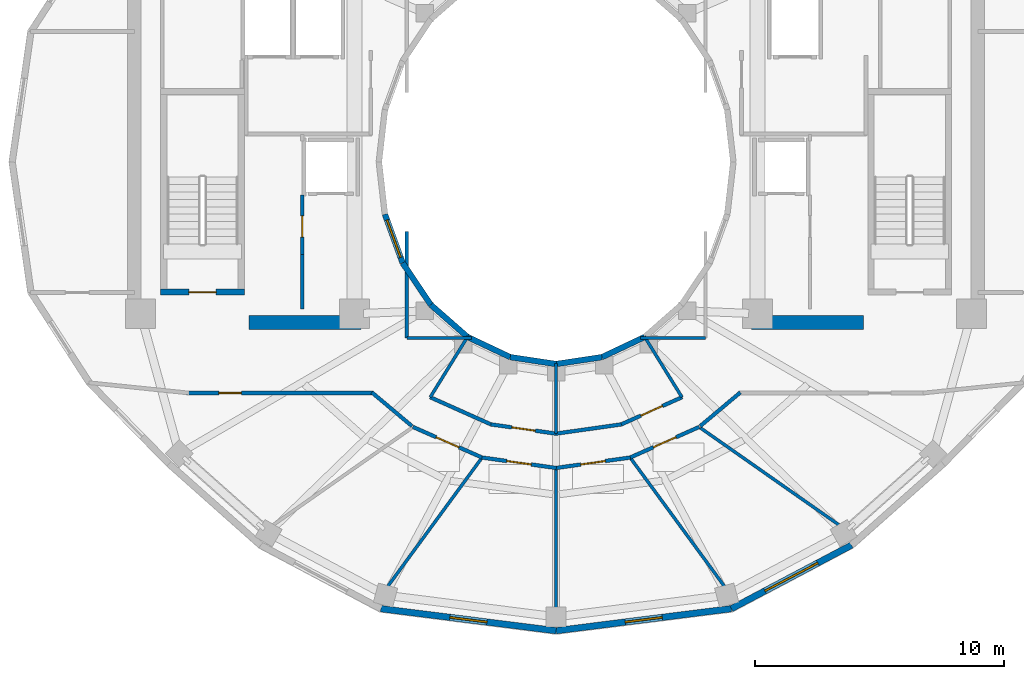
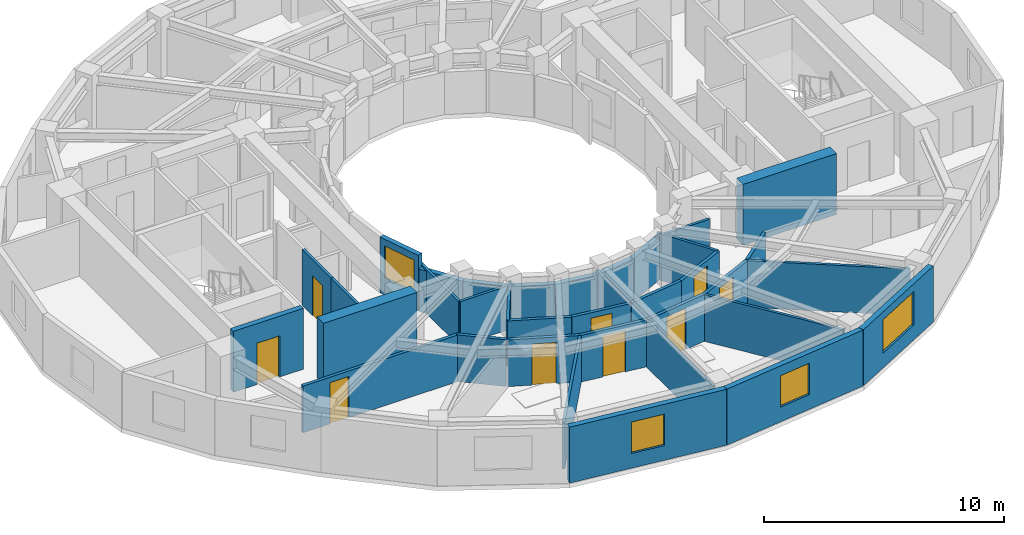
# One storey, part 3 of 9: 36 walls, 9 doors, 4 windows, 13 openings.
"""IFC4 building model written with IfcOpenShell, lengths in metres."""

from ifc_helpers import new_model, si_unit, direction, frame, frame_2d, origin, place, context, subcontext, project, spatial, rectangle, extrude, material, layer, layer_set, type_object, element, fill, save


model = new_model("IFC4")

# Units and contexts
model_context = context("Model", 3, precision=1e-05, world=origin(), true_north=direction((0.0, 1.0)))
body_context = subcontext(model_context, "Body", "Model", "MODEL_VIEW")
ifc_project = project(units=[si_unit("LENGTHUNIT", "METRE"), si_unit("AREAUNIT", "SQUARE_METRE"), si_unit("VOLUMEUNIT", "CUBIC_METRE"), si_unit("PLANEANGLEUNIT", "RADIAN"), si_unit("MASSUNIT", "GRAM", prefix="KILO")], contexts=[model_context])

# Site, building, storey
site_placement = place(None, origin())
site = spatial("IfcSite", under=ifc_project, at=site_placement, CompositionType="ELEMENT")
building_placement = place(site_placement, origin())
building = spatial("IfcBuilding", under=site, at=building_placement, Name="Solvane Sanctuary Tower", CompositionType="ELEMENT")
storey_placement = place(building_placement, frame((0.0, 0.0, 232.60009765625)))
storey = spatial("IfcBuildingStorey", under=building, at=storey_placement, Name="L71", CompositionType="ELEMENT", Elevation=232.60009765625)

# Walls
ifc_material_1 = material(Name="Concrete C50/60", Category="concrete")
ifc_layer_1 = layer(ifc_material_1, 0.550048828125, Name="Concrete C50/60")
ifc_layer_set_1 = layer_set([ifc_layer_1], Name="Concrete C50/60")
wall_type_1 = type_object("IfcWallType", Name="Wall W-CORE-550", PredefinedType="SHEAR", material=ifc_layer_set_1)
for number, where, z_axis, x_axis, name in (
    (1, (19.64990234375, 16.550048828125, 0.0), (0.0, 0.0, 1.0), (1.0, 0.0, 0.0), "L71 Core Shear Wall WC-S"),
    (2, (39.85009765625, 16.550048828125, 0.0), (0.0, 0.0, 1.0), (1.0, 0.0, 0.0), "L71 Core Shear Wall EC-S"),
):
    element("IfcWall", number, at=place(storey_placement, frame(where, z_axis=z_axis, x_axis=x_axis)), inside=storey, type_object=wall_type_1, Name=name, PredefinedType="SHEAR", context=body_context, shape_type="SweptSolid", body=[
        extrude(rectangle(XDim=4.5, YDim=0.550048828125, at=frame_2d((2.25, 0.0))), origin(), (0.0, 0.0, 1.0), 3.099853515625),
    ])
ifc_material_2 = material(Name="Acoustic Gypsum Partition Board")
ifc_layer_2 = layer(ifc_material_2, 0.14990234375, Name="Acoustic Gypsum Partition Board")
ifc_layer_set_2 = layer_set([ifc_layer_2], Name="Acoustic Gypsum Partition Board")
wall_type_2 = type_object("IfcWallType", Name="Wall W-CORR-150", PredefinedType="PARTITIONING", material=ifc_layer_set_2)
wall_1_placement = place(storey_placement, frame((26.934814453125, 13.548583984375, 0.0), z_axis=(0.0, 0.0, 1.0), x_axis=(0.912859324183, -0.408274239027, 0.0)))
element("IfcWall", 3, at=wall_1_placement, inside=storey, type_object=wall_type_2, Name="L71 South Light-Well Corridor Wall 1", PredefinedType="PARTITIONING", context=body_context, shape_type="SweptSolid", body=[
    extrude(rectangle(XDim=2.681884765625, YDim=0.14990234375, at=frame_2d((1.3408203125, 0.0))), origin(), (0.0, 0.0, 1.0), 2.3759765625),
])

# Wall, opening, door
wall_2_placement = place(storey_placement, frame((29.379638671875, 12.45458984375, 0.0), z_axis=(0.0, 0.0, 1.0), x_axis=(0.990096156252, -0.140390887794, 0.0)))
wall_2 = element("IfcWall", 4, at=wall_2_placement, inside=storey, type_object=wall_type_2, Name="L71 South Light-Well Corridor Wall 1", PredefinedType="PARTITIONING", context=body_context, shape_type="SweptSolid", body=[
    extrude(rectangle(XDim=2.65380859375, YDim=0.14990234375, at=frame_2d((1.326904296875, 0.0))), origin(), (0.0, 0.0, 1.0), 2.3759765625),
])
opening_1_placement = place(wall_2_placement, frame((0.851806640625, 0.0, 0.0)))
opening_1 = element("IfcOpeningElement", 5, at=opening_1_placement, cuts=wall_2, Name="Opening D-L71-11", PredefinedType="OPENING", context=body_context, shape_type="SweptSolid", body=[
    extrude(rectangle(XDim=0.949951171875, YDim=2.10009765625, at=frame_2d((0.47509765625, 1.050048828125))), frame((0.0, 0.0849609375, 0.0), z_axis=(0.0, -1.0, 0.0), x_axis=(1.0, 0.0, 0.0)), (0.0, 0.0, 1.0), 0.169921875),
])
ifc_material_3 = material(Name="Engineered Tropical Hardwood", Category="wood")
door_type_1 = type_object("IfcDoorType", Name="Door D-ROOM-950", OperationType="NOTDEFINED", PredefinedType="DOOR", material=ifc_material_3)
door_1_placement = place(opening_1_placement, origin())
door_1 = element("IfcDoor", 6, at=door_1_placement, inside=storey, type_object=door_type_1, Name="L71 South Light-Well Alcove Door 1", OperationType="SINGLE_SWING_RIGHT", OverallHeight=2.10009765625, OverallWidth=0.949951171875, PredefinedType="DOOR", context=body_context, shape_type="SweptSolid", body=[
    extrude(rectangle(XDim=0.949951171875, YDim=2.10009765625, at=frame_2d((0.47509765625, 1.050048828125))), frame((0.0, 0.02490234375, 0.0), z_axis=(0.0, -1.0, 0.0), x_axis=(1.0, 0.0, 0.0)), (0.0, 0.0, 1.0), 0.050048828125),
])
fill(opening_1, door_1)

# Wall
wall_3_placement = place(storey_placement, frame((31.992919921875, 12.08203125, 0.0), z_axis=(0.0, 0.0, 1.0), x_axis=(0.990096156252, 0.140390887794, 0.0)))
element("IfcWall", 7, at=wall_3_placement, inside=storey, type_object=wall_type_2, Name="L71 South Light-Well Corridor Wall 2", PredefinedType="PARTITIONING", context=body_context, shape_type="SweptSolid", body=[
    extrude(rectangle(XDim=2.65380859375, YDim=0.14990234375, at=frame_2d((1.326904296875, 0.0))), origin(), (0.0, 0.0, 1.0), 2.3759765625),
])

# Wall, opening, door
wall_4_placement = place(storey_placement, frame((34.616943359375, 12.45361328125, 0.0), z_axis=(0.0, 0.0, 1.0), x_axis=(0.912859324183, 0.408274239027, 0.0)))
wall_4 = element("IfcWall", 8, at=wall_4_placement, inside=storey, type_object=wall_type_2, Name="L71 South Light-Well Corridor Wall 2", PredefinedType="PARTITIONING", context=body_context, shape_type="SweptSolid", body=[
    extrude(rectangle(XDim=2.681884765625, YDim=0.14990234375, at=frame_2d((1.3408203125, 0.0))), origin(), (0.0, 0.0, 1.0), 2.3759765625),
])
opening_2_placement = place(wall_4_placement, frame((0.865966796875, 0.0, 0.0)))
opening_2 = element("IfcOpeningElement", 9, at=opening_2_placement, cuts=wall_4, Name="Opening D-L71-12", PredefinedType="OPENING", context=body_context, shape_type="SweptSolid", body=[
    extrude(rectangle(XDim=0.949951171875, YDim=2.10009765625, at=frame_2d((0.47509765625, 1.050048828125))), frame((0.0, 0.0849609375, 0.0), z_axis=(0.0, -1.0, 0.0), x_axis=(1.0, 0.0, 0.0)), (0.0, 0.0, 1.0), 0.169921875),
])
door_2_placement = place(opening_2_placement, origin())
door_2 = element("IfcDoor", 10, at=door_2_placement, inside=storey, type_object=door_type_1, Name="L71 South Light-Well Alcove Door 2", OperationType="SINGLE_SWING_LEFT", OverallHeight=2.10009765625, OverallWidth=0.949951171875, PredefinedType="DOOR", context=body_context, shape_type="SweptSolid", body=[
    extrude(rectangle(XDim=0.949951171875, YDim=2.10009765625, at=frame_2d((0.47509765625, 1.050048828125))), frame((0.0, 0.02490234375, 0.0), z_axis=(0.0, -1.0, 0.0), x_axis=(1.0, 0.0, 0.0)), (0.0, 0.0, 1.0), 0.050048828125),
])
fill(opening_2, door_2)

# Wall
wall_5_placement = place(storey_placement, frame((26.208984375, 12.385009765625, 0.0), z_axis=(0.0, 0.0, 1.0), x_axis=(-0.765677451641, 0.643224719711, 0.0)))
element("IfcWall", 11, at=wall_5_placement, inside=storey, type_object=wall_type_2, Name="L71 SW Corner Throat Wall", PredefinedType="PARTITIONING", context=body_context, shape_type="SweptSolid", body=[
    extrude(rectangle(XDim=2.10546875, YDim=0.14990234375, at=frame_2d((1.052734375, 0.0))), origin(), (0.0, 0.0, 1.0), 2.3759765625),
])

# Wall, opening, door
wall_6_placement = place(storey_placement, frame((17.14990234375, 13.719970703125, 0.0), z_axis=(0.0, 0.0, 1.0), x_axis=(1.0, 0.0, 0.0)))
wall_6 = element("IfcWall", 12, at=wall_6_placement, inside=storey, type_object=wall_type_2, Name="L71 SW Corner Corridor Wall", PredefinedType="PARTITIONING", context=body_context, shape_type="SweptSolid", body=[
    extrude(rectangle(XDim=7.52001953125, YDim=0.14990234375, at=frame_2d((3.760009765625, 0.0))), origin(), (0.0, 0.0, 1.0), 2.3759765625),
])
opening_3_placement = place(wall_6_placement, frame((1.300048828125, 0.0, 0.0)))
opening_3 = element("IfcOpeningElement", 13, at=opening_3_placement, cuts=wall_6, Name="Opening D-L71-18", PredefinedType="OPENING", context=body_context, shape_type="SweptSolid", body=[
    extrude(rectangle(XDim=0.89990234375, YDim=2.10009765625, at=frame_2d((0.449951171875, 1.050048828125))), frame((0.0, 0.0849609375, 0.0), z_axis=(0.0, -1.0, 0.0), x_axis=(1.0, 0.0, 0.0)), (0.0, 0.0, 1.0), 0.169921875),
])
door_type_2 = type_object("IfcDoorType", Name="Door D-WET-900", OperationType="NOTDEFINED", PredefinedType="DOOR", material=ifc_material_3)
door_3_placement = place(opening_3_placement, origin())
door_3 = element("IfcDoor", 14, at=door_3_placement, inside=storey, type_object=door_type_2, Name="L71 SW Corner Salon Door", OperationType="SINGLE_SWING_LEFT", OverallHeight=2.10009765625, OverallWidth=0.89990234375, PredefinedType="DOOR", context=body_context, shape_type="SweptSolid", body=[
    extrude(rectangle(XDim=0.89990234375, YDim=2.10009765625, at=frame_2d((0.449951171875, 1.050048828125))), frame((0.0, 0.02490234375, 0.0), z_axis=(0.0, -1.0, 0.0), x_axis=(1.0, 0.0, 0.0)), (0.0, 0.0, 1.0), 0.050048828125),
])
fill(opening_3, door_3)

# Wall
wall_7_placement = place(storey_placement, frame((37.791015625, 12.385009765625, 0.0), z_axis=(0.0, 0.0, 1.0), x_axis=(0.765677451641, 0.643224719711, 0.0)))
element("IfcWall", 15, at=wall_7_placement, inside=storey, type_object=wall_type_2, Name="L71 SE Corner Throat Wall", PredefinedType="PARTITIONING", context=body_context, shape_type="SweptSolid", body=[
    extrude(rectangle(XDim=2.10546875, YDim=0.14990234375, at=frame_2d((1.052734375, 0.0))), origin(), (0.0, 0.0, 1.0), 2.3759765625),
])

# Wall, opening, door
wall_8_placement = place(storey_placement, frame((26.243896484375, 12.35400390625, 0.0), z_axis=(0.0, 0.0, 1.0), x_axis=(0.914302802833, -0.405031337963, 0.0)))
wall_8 = element("IfcWall", 16, at=wall_8_placement, inside=storey, type_object=wall_type_2, Name="L71 Unit Corridor Wall S1", PredefinedType="PARTITIONING", context=body_context, shape_type="SweptSolid", body=[
    extrude(rectangle(XDim=3.04931640625, YDim=0.14990234375, at=frame_2d((1.524658203125, 0.0))), origin(), (0.0, 0.0, 1.0), 2.3759765625),
])
opening_4_placement = place(wall_8_placement, frame((1.024658203125, 0.0, 0.0)))
opening_4 = element("IfcOpeningElement", 17, at=opening_4_placement, cuts=wall_8, Name="Opening D-L71-24", PredefinedType="OPENING", context=body_context, shape_type="SweptSolid", body=[
    extrude(rectangle(XDim=1.0, YDim=2.10009765625, at=frame_2d((0.5, 1.050048828125))), frame((0.0, 0.0849609375, 0.0), z_axis=(0.0, -1.0, 0.0), x_axis=(1.0, 0.0, 0.0)), (0.0, 0.0, 1.0), 0.169921875),
])
door_type_3 = type_object("IfcDoorType", Name="Door D-UNIT", OperationType="NOTDEFINED", PredefinedType="DOOR", material=ifc_material_3)
door_4_placement = place(opening_4_placement, origin())
door_4 = element("IfcDoor", 18, at=door_4_placement, inside=storey, type_object=door_type_3, Name="L71 Unit Entrance Door S1", OperationType="SINGLE_SWING_LEFT", OverallHeight=2.10009765625, OverallWidth=1.0, PredefinedType="DOOR", context=body_context, shape_type="SweptSolid", body=[
    extrude(rectangle(XDim=1.0, YDim=2.10009765625, at=frame_2d((0.5, 1.050048828125))), frame((0.0, 0.02490234375, 0.0), z_axis=(0.0, -1.0, 0.0), x_axis=(1.0, 0.0, 0.0)), (0.0, 0.0, 1.0), 0.050048828125),
])
fill(opening_4, door_4)

wall_9_placement = place(storey_placement, frame((29.016357421875, 11.123291015625, 0.0), z_axis=(0.0, 0.0, 1.0), x_axis=(0.990225561979, -0.139475217886, 0.0)))
wall_9 = element("IfcWall", 19, at=wall_9_placement, inside=storey, type_object=wall_type_2, Name="L71 Unit Corridor Wall S2", PredefinedType="PARTITIONING", context=body_context, shape_type="SweptSolid", body=[
    extrude(rectangle(XDim=3.021240234375, YDim=0.14990234375, at=frame_2d((1.5107421875, 0.0))), origin(), (0.0, 0.0, 1.0), 2.3759765625),
])
opening_5_placement = place(wall_9_placement, frame((1.010498046875, 0.0, 0.0)))
opening_5 = element("IfcOpeningElement", 20, at=opening_5_placement, cuts=wall_9, Name="Opening D-L71-25", PredefinedType="OPENING", context=body_context, shape_type="SweptSolid", body=[
    extrude(rectangle(XDim=1.0, YDim=2.10009765625, at=frame_2d((0.5, 1.050048828125))), frame((0.0, 0.0849609375, 0.0), z_axis=(0.0, -1.0, 0.0), x_axis=(1.0, 0.0, 0.0)), (0.0, 0.0, 1.0), 0.169921875),
])
door_5_placement = place(opening_5_placement, origin())
door_5 = element("IfcDoor", 21, at=door_5_placement, inside=storey, type_object=door_type_3, Name="L71 Unit Entrance Door S2", OperationType="SINGLE_SWING_RIGHT", OverallHeight=2.10009765625, OverallWidth=1.0, PredefinedType="DOOR", context=body_context, shape_type="SweptSolid", body=[
    extrude(rectangle(XDim=1.0, YDim=2.10009765625, at=frame_2d((0.5, 1.050048828125))), frame((0.0, 0.02490234375, 0.0), z_axis=(0.0, -1.0, 0.0), x_axis=(1.0, 0.0, 0.0)), (0.0, 0.0, 1.0), 0.050048828125),
])
fill(opening_5, door_5)

wall_10_placement = place(storey_placement, frame((31.991943359375, 10.701904296875, 0.0), z_axis=(0.0, 0.0, 1.0), x_axis=(0.990225561979, 0.139475217886, 0.0)))
wall_10 = element("IfcWall", 22, at=wall_10_placement, inside=storey, type_object=wall_type_2, Name="L71 Unit Corridor Wall S3", PredefinedType="PARTITIONING", context=body_context, shape_type="SweptSolid", body=[
    extrude(rectangle(XDim=3.021240234375, YDim=0.14990234375, at=frame_2d((1.5107421875, 0.0))), origin(), (0.0, 0.0, 1.0), 2.3759765625),
])
opening_6_placement = place(wall_10_placement, frame((1.010498046875, 0.0, 0.0)))
opening_6 = element("IfcOpeningElement", 23, at=opening_6_placement, cuts=wall_10, Name="Opening D-L71-26", PredefinedType="OPENING", context=body_context, shape_type="SweptSolid", body=[
    extrude(rectangle(XDim=1.0, YDim=2.10009765625, at=frame_2d((0.5, 1.050048828125))), frame((0.0, 0.0849609375, 0.0), z_axis=(0.0, -1.0, 0.0), x_axis=(1.0, 0.0, 0.0)), (0.0, 0.0, 1.0), 0.169921875),
])
door_6_placement = place(opening_6_placement, origin())
door_6 = element("IfcDoor", 24, at=door_6_placement, inside=storey, type_object=door_type_3, Name="L71 Unit Entrance Door S3", OperationType="SINGLE_SWING_LEFT", OverallHeight=2.10009765625, OverallWidth=1.0, PredefinedType="DOOR", context=body_context, shape_type="SweptSolid", body=[
    extrude(rectangle(XDim=1.0, YDim=2.10009765625, at=frame_2d((0.5, 1.050048828125))), frame((0.0, 0.02490234375, 0.0), z_axis=(0.0, -1.0, 0.0), x_axis=(1.0, 0.0, 0.0)), (0.0, 0.0, 1.0), 0.050048828125),
])
fill(opening_6, door_6)

wall_11_placement = place(storey_placement, frame((34.968017578125, 11.118896484375, 0.0), z_axis=(0.0, 0.0, 1.0), x_axis=(0.914302802833, 0.405031337963, 0.0)))
wall_11 = element("IfcWall", 25, at=wall_11_placement, inside=storey, type_object=wall_type_2, Name="L71 Unit Corridor Wall S4", PredefinedType="PARTITIONING", context=body_context, shape_type="SweptSolid", body=[
    extrude(rectangle(XDim=3.04931640625, YDim=0.14990234375, at=frame_2d((1.524658203125, 0.0))), origin(), (0.0, 0.0, 1.0), 2.3759765625),
])
opening_7_placement = place(wall_11_placement, frame((1.024658203125, 0.0, 0.0)))
opening_7 = element("IfcOpeningElement", 26, at=opening_7_placement, cuts=wall_11, Name="Opening D-L71-27", PredefinedType="OPENING", context=body_context, shape_type="SweptSolid", body=[
    extrude(rectangle(XDim=1.0, YDim=2.10009765625, at=frame_2d((0.5, 1.050048828125))), frame((0.0, 0.0849609375, 0.0), z_axis=(0.0, -1.0, 0.0), x_axis=(1.0, 0.0, 0.0)), (0.0, 0.0, 1.0), 0.169921875),
])
door_7_placement = place(opening_7_placement, origin())
door_7 = element("IfcDoor", 27, at=door_7_placement, inside=storey, type_object=door_type_3, Name="L71 Unit Entrance Door S4", OperationType="SINGLE_SWING_RIGHT", OverallHeight=2.10009765625, OverallWidth=1.0, PredefinedType="DOOR", context=body_context, shape_type="SweptSolid", body=[
    extrude(rectangle(XDim=1.0, YDim=2.10009765625, at=frame_2d((0.5, 1.050048828125))), frame((0.0, 0.02490234375, 0.0), z_axis=(0.0, -1.0, 0.0), x_axis=(1.0, 0.0, 0.0)), (0.0, 0.0, 1.0), 0.050048828125),
])
fill(opening_7, door_7)

# Wall, opening, window
ifc_material_4 = material(Name="Precast concrete C40/50", Category="concrete")
ifc_layer_3 = layer(ifc_material_4, 0.260009765625, Name="Precast concrete C40/50")
ifc_layer_set_3 = layer_set([ifc_layer_3], Name="Precast concrete C40/50")
wall_type_3 = type_object("IfcWallType", Name="Wall W-EXT-250", PredefinedType="STANDARD", material=ifc_layer_set_3)
wall_12_placement = place(storey_placement, frame((24.95703125, 5.048095703125, 0.0), z_axis=(0.0, 0.0, 1.0), x_axis=(0.992180211307, -0.124813574142, 0.0)))
wall_12 = element("IfcWall", 28, at=wall_12_placement, inside=storey, type_object=wall_type_3, Name="L71 Ceramic-Printed Facade Wall 17", PredefinedType="STANDARD", context=body_context, shape_type="SweptSolid", body=[
    extrude(rectangle(XDim=7.098388671875, YDim=0.260009765625, at=frame_2d((3.54931640625, 0.0))), origin(), (0.0, 0.0, 1.0), 2.849853515625),
])
opening_8_placement = place(wall_12_placement, frame((2.79931640625, 0.0, 0.75)))
opening_8 = element("IfcOpeningElement", 29, at=opening_8_placement, cuts=wall_12, Name="Opening WN-OPER-1500", PredefinedType="OPENING", context=body_context, shape_type="SweptSolid", body=[
    extrude(rectangle(XDim=1.5, YDim=1.60009765625, at=frame_2d((0.75, 0.800048828125))), frame((0.0, 0.139892578125, 0.0), z_axis=(0.0, -1.0, 0.0), x_axis=(1.0, 0.0, 0.0)), (0.0, 0.0, 1.0), 0.280029296875),
])
ifc_material_5 = material(Name="Dark Ceramic-Fritted Low-E Glass", Category="glass")
window_type_1 = type_object("IfcWindowType", Name="Window WN-OPER-1500", PartitioningType="SINGLE_PANEL", PredefinedType="WINDOW", material=ifc_material_5)
window_1_placement = place(opening_8_placement, origin())
window_1 = element("IfcWindow", 30, at=window_1_placement, inside=storey, type_object=window_type_1, Name="L71 Operable Facade Window 17", OverallHeight=1.60009765625, OverallWidth=1.5, PartitioningType="SINGLE_PANEL", PredefinedType="WINDOW", context=body_context, shape_type="SweptSolid", body=[
    extrude(rectangle(XDim=1.5, YDim=1.60009765625, at=frame_2d((0.75, 0.800048828125))), frame((0.0, 0.030029296875, 0.0), z_axis=(0.0, -1.0, 0.0), x_axis=(1.0, 0.0, 0.0)), (0.0, 0.0, 1.0), 0.06005859375),
])
fill(opening_8, window_1)

wall_13_placement = place(storey_placement, frame((32.0, 4.162109375, 0.0), z_axis=(0.0, 0.0, 1.0), x_axis=(0.992180211307, 0.124813574142, 0.0)))
wall_13 = element("IfcWall", 31, at=wall_13_placement, inside=storey, type_object=wall_type_3, Name="L71 Ceramic-Printed Facade Wall 18", PredefinedType="STANDARD", context=body_context, shape_type="SweptSolid", body=[
    extrude(rectangle(XDim=7.098388671875, YDim=0.260009765625, at=frame_2d((3.54931640625, 0.0))), origin(), (0.0, 0.0, 1.0), 2.849853515625),
])
opening_9_placement = place(wall_13_placement, frame((2.79931640625, 0.0, 0.75)))
opening_9 = element("IfcOpeningElement", 32, at=opening_9_placement, cuts=wall_13, Name="Opening WN-OPER-1500", PredefinedType="OPENING", context=body_context, shape_type="SweptSolid", body=[
    extrude(rectangle(XDim=1.5, YDim=1.60009765625, at=frame_2d((0.75, 0.800048828125))), frame((0.0, 0.139892578125, 0.0), z_axis=(0.0, -1.0, 0.0), x_axis=(1.0, 0.0, 0.0)), (0.0, 0.0, 1.0), 0.280029296875),
])
window_2_placement = place(opening_9_placement, origin())
window_2 = element("IfcWindow", 33, at=window_2_placement, inside=storey, type_object=window_type_1, Name="L71 Operable Facade Window 18", OverallHeight=1.60009765625, OverallWidth=1.5, PartitioningType="SINGLE_PANEL", PredefinedType="WINDOW", context=body_context, shape_type="SweptSolid", body=[
    extrude(rectangle(XDim=1.5, YDim=1.60009765625, at=frame_2d((0.75, 0.800048828125))), frame((0.0, 0.030029296875, 0.0), z_axis=(0.0, -1.0, 0.0), x_axis=(1.0, 0.0, 0.0)), (0.0, 0.0, 1.0), 0.06005859375),
])
fill(opening_9, window_2)

wall_14_placement = place(storey_placement, frame((39.04296875, 5.048095703125, 0.0), z_axis=(0.0, 0.0, 1.0), x_axis=(0.884000981341, 0.46748504253, 0.0)))
wall_14 = element("IfcWall", 34, at=wall_14_placement, inside=storey, type_object=wall_type_3, Name="L71 Ceramic-Printed Facade Wall 19", PredefinedType="STANDARD", context=body_context, shape_type="SweptSolid", body=[
    extrude(rectangle(XDim=5.46044921875, YDim=0.260009765625, at=frame_2d((2.730224609375, 0.0))), origin(), (0.0, 0.0, 1.0), 2.849853515625),
])
opening_10_placement = place(wall_14_placement, frame((1.5302734375, 0.0, 0.75)))
opening_10 = element("IfcOpeningElement", 35, at=opening_10_placement, cuts=wall_14, Name="Opening WN-RIB-2400", PredefinedType="OPENING", context=body_context, shape_type="SweptSolid", body=[
    extrude(rectangle(XDim=2.39990234375, YDim=1.699951171875, at=frame_2d((1.199951171875, 0.85009765625))), frame((0.0, 0.139892578125, 0.0), z_axis=(0.0, -1.0, 0.0), x_axis=(1.0, 0.0, 0.0)), (0.0, 0.0, 1.0), 0.280029296875),
])
window_type_2 = type_object("IfcWindowType", Name="Window WN-RIB-2400", PartitioningType="SINGLE_PANEL", PredefinedType="WINDOW", material=ifc_material_5)
window_3_placement = place(opening_10_placement, origin())
window_3 = element("IfcWindow", 36, at=window_3_placement, inside=storey, type_object=window_type_2, Name="L71 Operable Facade Window 19", OverallHeight=1.699951171875, OverallWidth=2.39990234375, PartitioningType="SINGLE_PANEL", PredefinedType="WINDOW", context=body_context, shape_type="SweptSolid", body=[
    extrude(rectangle(XDim=2.39990234375, YDim=1.699951171875, at=frame_2d((1.199951171875, 0.85009765625))), frame((0.0, 0.030029296875, 0.0), z_axis=(0.0, -1.0, 0.0), x_axis=(1.0, 0.0, 0.0)), (0.0, 0.0, 1.0), 0.06005859375),
])
fill(opening_10, window_3)

ifc_layer_4 = layer(ifc_material_4, 0.22998046875, Name="Precast concrete C40/50")
ifc_layer_set_4 = layer_set([ifc_layer_4], Name="Precast concrete C40/50")
wall_type_4 = type_object("IfcWallType", Name="Wall W-EXT-SP220", PredefinedType="STANDARD", material=ifc_layer_set_4)
wall_15_placement = place(storey_placement, frame((25.12255859375, 20.8984375, 0.0), z_axis=(0.0, 0.0, 1.0), x_axis=(0.341423187295, -0.93990968033, 0.0)))
wall_15 = element("IfcWall", 37, at=wall_15_placement, inside=storey, type_object=wall_type_4, Name="L71 Central Light-Well Wall 13", PredefinedType="STANDARD", context=body_context, shape_type="SweptSolid", body=[
    extrude(rectangle(XDim=2.083740234375, YDim=0.22998046875, at=frame_2d((1.0419921875, 0.0))), origin(), (0.0, 0.0, 1.0), 2.83984375),
])
opening_11_placement = place(wall_15_placement, frame((0.24169921875, 0.0, 0.85009765625)))
opening_11 = element("IfcOpeningElement", 38, at=opening_11_placement, cuts=wall_15, Name="Opening WN-WELL-1600", PredefinedType="OPENING", context=body_context, shape_type="SweptSolid", body=[
    extrude(rectangle(XDim=1.60009765625, YDim=1.64990234375, at=frame_2d((0.800048828125, 0.824951171875))), frame((0.0, 0.125, 0.0), z_axis=(0.0, -1.0, 0.0), x_axis=(1.0, 0.0, 0.0)), (0.0, 0.0, 1.0), 0.25),
])
ifc_material_6 = material(Name="Clear Laminated Light-Well Glass", Category="glass")
window_type_3 = type_object("IfcWindowType", Name="Window WN-WELL-1600", PartitioningType="SINGLE_PANEL", PredefinedType="WINDOW", material=ifc_material_6)
window_4_placement = place(opening_11_placement, origin())
window_4 = element("IfcWindow", 39, at=window_4_placement, inside=storey, type_object=window_type_3, Name="L71 Light-Well Daylight Window 13", OverallHeight=1.64990234375, OverallWidth=1.60009765625, PartitioningType="SINGLE_PANEL", PredefinedType="WINDOW", context=body_context, shape_type="SweptSolid", body=[
    extrude(rectangle(XDim=1.60009765625, YDim=1.64990234375, at=frame_2d((0.800048828125, 0.824951171875))), frame((0.0, 0.030029296875, 0.0), z_axis=(0.0, -1.0, 0.0), x_axis=(1.0, 0.0, 0.0)), (0.0, 0.0, 1.0), 0.06005859375),
])
fill(opening_11, window_4)

# Walls
wall_16_placement = place(storey_placement, frame((25.833984375, 18.93994140625, 0.0), z_axis=(0.0, 0.0, 1.0), x_axis=(0.558197800898, -0.829707909492, 0.0)))
element("IfcWall", 40, at=wall_16_placement, inside=storey, type_object=wall_type_4, Name="L71 Central Light-Well Wall 14", PredefinedType="STANDARD", context=body_context, shape_type="SweptSolid", body=[
    extrude(rectangle(XDim=2.02685546875, YDim=0.22998046875, at=frame_2d((1.013427734375, 0.0))), origin(), (0.0, 0.0, 1.0), 2.159912109375),
])
wall_17_placement = place(storey_placement, frame((26.96533203125, 17.25830078125, 0.0), z_axis=(0.0, 0.0, 1.0), x_axis=(0.752576694707, -0.658504607869, 0.0)))
element("IfcWall", 41, at=wall_17_placement, inside=storey, type_object=wall_type_4, Name="L71 Central Light-Well Wall 15", PredefinedType="STANDARD", context=body_context, shape_type="SweptSolid", body=[
    extrude(rectangle(XDim=1.95947265625, YDim=0.22998046875, at=frame_2d((0.979736328125, 0.0))), origin(), (0.0, 0.0, 1.0), 2.159912109375),
])
wall_18_placement = place(storey_placement, frame((28.43994140625, 15.968017578125, 0.0), z_axis=(0.0, 0.0, 1.0), x_axis=(0.904179699603, -0.427152280606, 0.0)))
element("IfcWall", 42, at=wall_18_placement, inside=storey, type_object=wall_type_4, Name="L71 Central Light-Well Wall 16", PredefinedType="STANDARD", context=body_context, shape_type="SweptSolid", body=[
    extrude(rectangle(XDim=1.899169921875, YDim=0.22998046875, at=frame_2d((0.94970703125, 0.0))), origin(), (0.0, 0.0, 1.0), 2.159912109375),
])
for number, where, z_axis, x_axis, name in (
    (43, (30.1572265625, 15.15673828125, 0.0), (0.0, 0.0, 1.0), (0.988901730308, -0.148571086668, 0.0), "L71 Central Light-Well Wall 17"),
    (44, (32.0, 14.8798828125, 0.0), (0.0, 0.0, 1.0), (0.988901730308, 0.148571086668, 0.0), "L71 Central Light-Well Wall 18"),
):
    element("IfcWall", number, at=place(storey_placement, frame(where, z_axis=z_axis, x_axis=x_axis)), inside=storey, type_object=wall_type_4, Name=name, PredefinedType="STANDARD", context=body_context, shape_type="SweptSolid", body=[
        extrude(rectangle(XDim=1.863525390625, YDim=0.22998046875, at=frame_2d((0.931640625, 0.0))), origin(), (0.0, 0.0, 1.0), 2.159912109375),
    ])
wall_19_placement = place(storey_placement, frame((33.8427734375, 15.15673828125, 0.0), z_axis=(0.0, 0.0, 1.0), x_axis=(0.904179699603, 0.427152280606, 0.0)))
element("IfcWall", 45, at=wall_19_placement, inside=storey, type_object=wall_type_4, Name="L71 Central Light-Well Wall 19", PredefinedType="STANDARD", context=body_context, shape_type="SweptSolid", body=[
    extrude(rectangle(XDim=1.899169921875, YDim=0.22998046875, at=frame_2d((0.94970703125, 0.0))), origin(), (0.0, 0.0, 1.0), 2.159912109375),
])

# Wall, opening, door
ifc_layer_5 = layer(ifc_material_2, 0.125, Name="Acoustic Gypsum Partition Board")
ifc_layer_set_5 = layer_set([ifc_layer_5], Name="Acoustic Gypsum Partition Board")
wall_type_5 = type_object("IfcWallType", Name="Wall W-PART-125", PredefinedType="PARTITIONING", material=ifc_layer_set_5)
wall_20_placement = place(storey_placement, frame((21.800048828125, 19.280029296875, 0.0), z_axis=(0.0, 0.0, 1.0), x_axis=(0.0, 1.0, 0.0)))
wall_20 = element("IfcWall", 46, at=wall_20_placement, inside=storey, type_object=wall_type_5, Name="L71 Reclaimed Room Partition PMW", PredefinedType="PARTITIONING", context=body_context, shape_type="SweptSolid", body=[
    extrude(rectangle(XDim=2.39990234375, YDim=0.125, at=frame_2d((1.199951171875, 0.0))), origin(), (0.0, 0.0, 1.0), 2.85498046875),
])
opening_12_placement = place(wall_20_placement, frame((0.699951171875, 0.0, 0.0)))
opening_12 = element("IfcOpeningElement", 47, at=opening_12_placement, cuts=wall_20, Name="Opening D-L71-05", PredefinedType="OPENING", context=body_context, shape_type="SweptSolid", body=[
    extrude(rectangle(XDim=0.85009765625, YDim=2.050048828125, at=frame_2d((0.425048828125, 1.02490234375))), frame((0.0, 0.072509765625, 0.0), z_axis=(0.0, -1.0, 0.0), x_axis=(1.0, 0.0, 0.0)), (0.0, 0.0, 1.0), 0.14501953125),
])
ifc_material_7 = material(Name="Architectural Stainless Steel 316", Category="steel")
door_type_4 = type_object("IfcDoorType", Name="Door D-RISER", OperationType="NOTDEFINED", PredefinedType="DOOR", material=ifc_material_7)
door_8_placement = place(opening_12_placement, origin())
door_8 = element("IfcDoor", 48, at=door_8_placement, inside=storey, type_object=door_type_4, Name="L71 Reclaimed Room Door PMW-1", OperationType="SINGLE_SWING_RIGHT", OverallHeight=2.050048828125, OverallWidth=0.85009765625, PredefinedType="DOOR", context=body_context, shape_type="SweptSolid", body=[
    extrude(rectangle(XDim=0.85009765625, YDim=2.050048828125, at=frame_2d((0.425048828125, 1.02490234375))), frame((0.0, 0.02490234375, 0.0), z_axis=(0.0, -1.0, 0.0), x_axis=(1.0, 0.0, 0.0)), (0.0, 0.0, 1.0), 0.050048828125),
])
fill(opening_12, door_8)

# Walls
wall_21_placement = place(storey_placement, frame((21.800048828125, 17.10009765625, 0.0), z_axis=(0.0, 0.0, 1.0), x_axis=(0.0, 1.0, 0.0)))
element("IfcWall", 49, at=wall_21_placement, inside=storey, type_object=wall_type_5, Name="L71 Reclaimed Room Closer Wall PMW-1", PredefinedType="PARTITIONING", context=body_context, shape_type="SweptSolid", body=[
    extrude(rectangle(XDim=2.179931640625, YDim=0.125, at=frame_2d((1.08984375, 0.0))), origin(), (0.0, 0.0, 1.0), 2.85498046875),
])
wall_22_placement = place(storey_placement, frame((28.449951171875, 15.985107421875, 0.0), z_axis=(0.0, 0.0, 1.0), x_axis=(-0.52592395012, -0.850531597702, 0.0)))
element("IfcWall", 50, at=wall_22_placement, inside=storey, type_object=wall_type_5, Name="L71 South Light-Well Radial Wall 240", PredefinedType="PARTITIONING", context=body_context, shape_type="SweptSolid", body=[
    extrude(rectangle(XDim=2.869384765625, YDim=0.125, at=frame_2d((1.4345703125, 0.0))), origin(), (0.0, 0.0, 1.0), 2.3759765625),
])
wall_23_placement = place(storey_placement, frame((32.0, 14.89990234375, 0.0), z_axis=(0.0, 0.0, 1.0), x_axis=(0.0, -1.0, 0.0)))
element("IfcWall", 51, at=wall_23_placement, inside=storey, type_object=wall_type_5, Name="L71 South Light-Well Radial Wall 270", PredefinedType="PARTITIONING", context=body_context, shape_type="SweptSolid", body=[
    extrude(rectangle(XDim=2.81787109375, YDim=0.125, at=frame_2d((1.408935546875, 0.0))), origin(), (0.0, 0.0, 1.0), 2.3759765625),
])
wall_24_placement = place(storey_placement, frame((35.550048828125, 15.985107421875, 0.0), z_axis=(0.0, 0.0, 1.0), x_axis=(0.52592395012, -0.850531597702, 0.0)))
element("IfcWall", 52, at=wall_24_placement, inside=storey, type_object=wall_type_5, Name="L71 South Light-Well Radial Wall 300", PredefinedType="PARTITIONING", context=body_context, shape_type="SweptSolid", body=[
    extrude(rectangle(XDim=2.869384765625, YDim=0.125, at=frame_2d((1.4345703125, 0.0))), origin(), (0.0, 0.0, 1.0), 2.3759765625),
])
wall_25_placement = place(storey_placement, frame((26.0, 15.919921875, 0.0), z_axis=(0.0, 0.0, 1.0), x_axis=(0.0, 1.0, 0.0)))
element("IfcWall", 53, at=wall_25_placement, inside=storey, type_object=wall_type_5, Name="L71 Bridge Alcove Wall 5", PredefinedType="PARTITIONING", context=body_context, shape_type="SweptSolid", body=[
    extrude(rectangle(XDim=4.280029296875, YDim=0.125, at=frame_2d((2.14013671875, 0.0))), origin(), (0.0, 0.0, 1.0), 2.23193359375),
])
for number, where, z_axis, x_axis, name in (
    (54, (26.0, 15.919921875, 0.0), (0.0, 0.0, 1.0), (1.0, 0.0, 0.0), "L71 Bridge Alcove Wall 6"),
    (55, (35.39990234375, 15.919921875, 0.0), (0.0, 0.0, 1.0), (1.0, 0.0, 0.0), "L71 Bridge Alcove Wall 8"),
):
    element("IfcWall", number, at=place(storey_placement, frame(where, z_axis=z_axis, x_axis=x_axis)), inside=storey, type_object=wall_type_5, Name=name, PredefinedType="PARTITIONING", context=body_context, shape_type="SweptSolid", body=[
        extrude(rectangle(XDim=2.60009765625, YDim=0.125, at=frame_2d((1.300048828125, 0.0))), origin(), (0.0, 0.0, 1.0), 2.23193359375),
    ])
wall_26_placement = place(storey_placement, frame((28.99169921875, 11.07666015625, 0.0), z_axis=(0.0, 0.0, 1.0), x_axis=(-0.590771495169, -0.806838918555, 0.0)))
element("IfcWall", 56, at=wall_26_placement, inside=storey, type_object=wall_type_5, Name="L71 Radial Compartment Wall 255", PredefinedType="PARTITIONING", context=body_context, shape_type="SweptSolid", body=[
    extrude(rectangle(XDim=6.346923828125, YDim=0.125, at=frame_2d((3.17333984375, 0.0))), origin(), (0.0, 0.0, 1.0), 2.3759765625),
])
wall_27_placement = place(storey_placement, frame((32.0, 10.64697265625, 0.0), z_axis=(0.0, 0.0, 1.0), x_axis=(0.0, -1.0, 0.0)))
element("IfcWall", 57, at=wall_27_placement, inside=storey, type_object=wall_type_5, Name="L71 Radial Compartment Wall 270", PredefinedType="PARTITIONING", context=body_context, shape_type="SweptSolid", body=[
    extrude(rectangle(XDim=5.546875, YDim=0.125, at=frame_2d((2.7734375, 0.0))), origin(), (0.0, 0.0, 1.0), 2.3759765625),
])
wall_28_placement = place(storey_placement, frame((35.00830078125, 11.07666015625, 0.0), z_axis=(0.0, 0.0, 1.0), x_axis=(0.590771495169, -0.806838918555, 0.0)))
element("IfcWall", 58, at=wall_28_placement, inside=storey, type_object=wall_type_5, Name="L71 Radial Compartment Wall 285", PredefinedType="PARTITIONING", context=body_context, shape_type="SweptSolid", body=[
    extrude(rectangle(XDim=6.346923828125, YDim=0.125, at=frame_2d((3.17333984375, 0.0))), origin(), (0.0, 0.0, 1.0), 2.3759765625),
])
wall_29_placement = place(storey_placement, frame((37.7939453125, 12.318115234375, 0.0), z_axis=(0.0, 0.0, 1.0), x_axis=(0.819017716307, -0.573768228796, 0.0)))
element("IfcWall", 59, at=wall_29_placement, inside=storey, type_object=wall_type_5, Name="L71 Radial Compartment Wall 300", PredefinedType="PARTITIONING", context=body_context, shape_type="SweptSolid", body=[
    extrude(rectangle(XDim=6.802001953125, YDim=0.125, at=frame_2d((3.40087890625, 0.0))), origin(), (0.0, 0.0, 1.0), 2.3759765625),
])

# Wall, opening, door
ifc_layer_6 = layer(ifc_material_1, 0.25, Name="Concrete C50/60")
ifc_layer_set_6 = layer_set([ifc_layer_6], Name="Concrete C50/60")
wall_type_6 = type_object("IfcWallType", Name="Wall W-SHAFT-250", PredefinedType="SOLIDWALL", material=ifc_layer_set_6)
wall_30_placement = place(storey_placement, frame((16.10498046875, 17.77001953125, 0.0), z_axis=(0.0, 0.0, 1.0), x_axis=(1.0, 0.0, 0.0)))
wall_30 = element("IfcWall", 60, at=wall_30_placement, inside=storey, type_object=wall_type_6, Name="L71 ST-1 Load-Bearing Shaft Wall S", PredefinedType="SOLIDWALL", context=body_context, shape_type="SweptSolid", body=[
    extrude(rectangle(XDim=3.3701171875, YDim=0.25, at=frame_2d((1.68505859375, 0.0))), origin(), (0.0, 0.0, 1.0), 3.099853515625),
])
opening_13_placement = place(wall_30_placement, frame((1.135009765625, 0.0, 0.0)))
opening_13 = element("IfcOpeningElement", 61, at=opening_13_placement, cuts=wall_30, Name="Opening D-L71-01", PredefinedType="OPENING", context=body_context, shape_type="SweptSolid", body=[
    extrude(rectangle(XDim=1.10009765625, YDim=2.10009765625, at=frame_2d((0.550048828125, 1.050048828125))), frame((0.0, 0.135009765625, 0.0), z_axis=(0.0, -1.0, 0.0), x_axis=(1.0, 0.0, 0.0)), (0.0, 0.0, 1.0), 0.27001953125),
])
door_type_5 = type_object("IfcDoorType", Name="Door D-STAIR", OperationType="NOTDEFINED", PredefinedType="DOOR", material=ifc_material_7)
door_9_placement = place(opening_13_placement, origin())
door_9 = element("IfcDoor", 62, at=door_9_placement, inside=storey, type_object=door_type_5, Name="L71 ST-1 Exit Stair Fire Door", OperationType="SINGLE_SWING_LEFT", OverallHeight=2.10009765625, OverallWidth=1.10009765625, PredefinedType="DOOR", context=body_context, shape_type="SweptSolid", body=[
    extrude(rectangle(XDim=1.10009765625, YDim=2.10009765625, at=frame_2d((0.550048828125, 1.050048828125))), frame((0.0, 0.02490234375, 0.0), z_axis=(0.0, -1.0, 0.0), x_axis=(1.0, 0.0, 0.0)), (0.0, 0.0, 1.0), 0.050048828125),
])
fill(opening_13, door_9)

save(model, "model.ifc")
